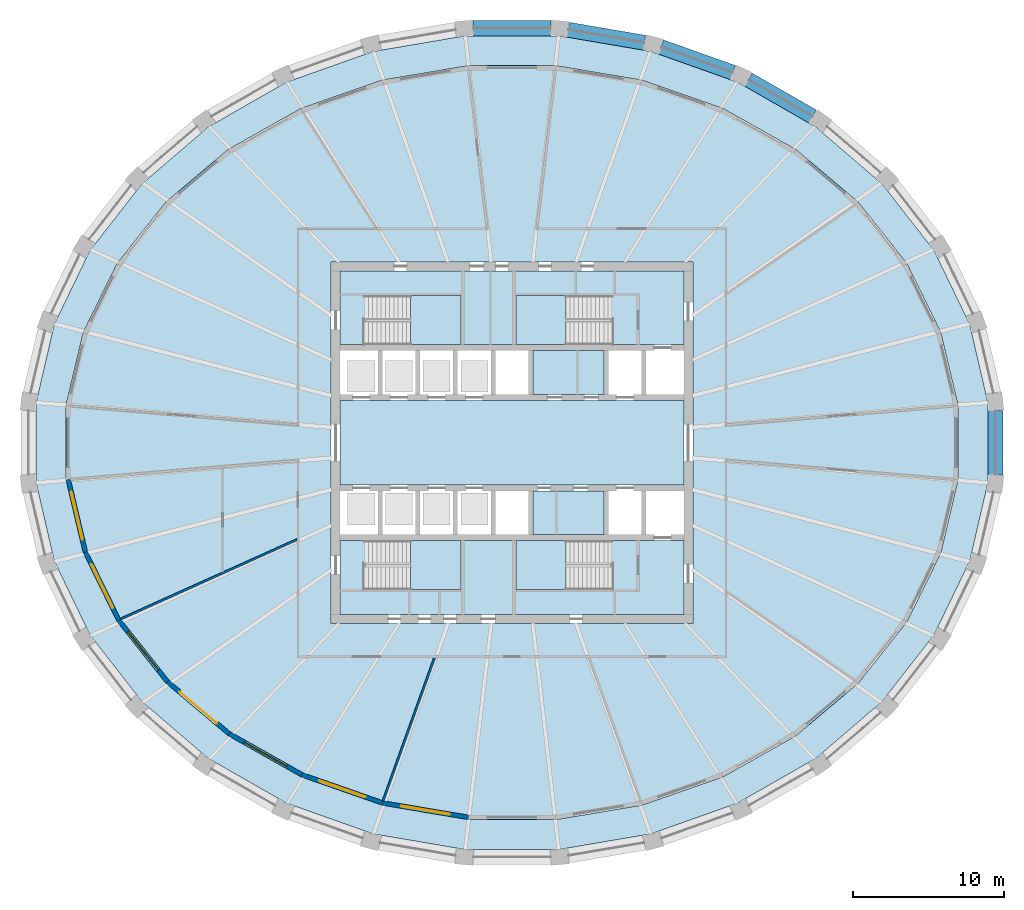
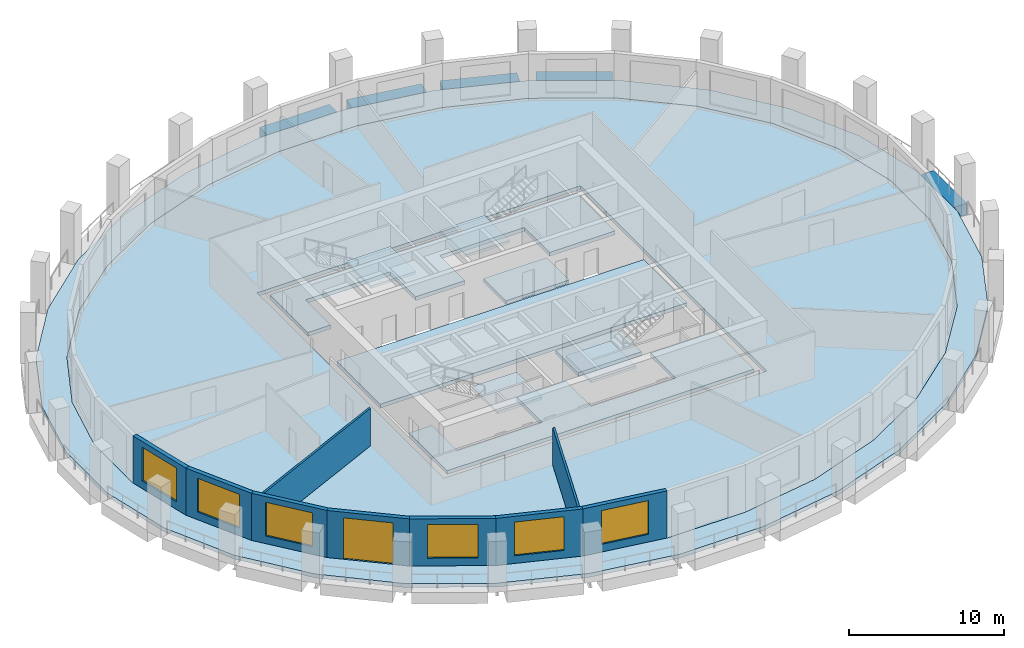
# One storey, part 2 of 10: 11 slabs, 9 walls, 6 windows, 5 beams, 1 door, 7 openings, 4 elements without a shape of their own.
"""IFC4 building model written with IfcOpenShell, lengths in metres."""

from ifc_helpers import new_model, si_unit, direction, frame, frame_2d, origin, origin_2d, place, context, subcontext, project, spatial, polyline, rectangle, outline, extrude, material, layer, layer_set, material_profile, profile_set, type_object, element, fill, aggregate, save


model = new_model("IFC4")

# Units and contexts
model_context = context("Model", 3, precision=1e-05, world=origin(), true_north=direction((0.0, 1.0)))
body_context = subcontext(model_context, "Body", "Model", "MODEL_VIEW")
ifc_project = project(units=[si_unit("LENGTHUNIT", "METRE"), si_unit("AREAUNIT", "SQUARE_METRE"), si_unit("VOLUMEUNIT", "CUBIC_METRE"), si_unit("PLANEANGLEUNIT", "RADIAN"), si_unit("MASSUNIT", "GRAM", prefix="KILO")], contexts=[model_context])

# Site, building, storey
site_placement = place(None, origin())
site = spatial("IfcSite", under=ifc_project, at=site_placement, CompositionType="ELEMENT")
building_placement = place(site_placement, origin())
building = spatial("IfcBuilding", under=site, at=building_placement, Name="Halqa Exchange Tower", CompositionType="ELEMENT")
storey_placement = place(building_placement, frame((0.0, 0.0, 202.89990234375)))
storey = spatial("IfcBuildingStorey", under=building, at=storey_placement, Name="L46", CompositionType="ELEMENT", Elevation=202.89990234375)

# Beams
ifc_material_1 = material(Name="Concrete C60/75", Category="concrete")
ifc_material_profile = material_profile(ifc_material_1, rectangle(XDim=1.0, YDim=0.89990234375, at=origin_2d()), Name="1000 x 900")
ifc_profile_set = profile_set([ifc_material_profile], Name="Concrete C60/75")
beam_type = type_object("IfcBeamType", Name="RC spandrel beam 1000 x 900 C60/75", PredefinedType="SPANDREL", material=ifc_profile_set)
beam_1_placement = place(storey_placement, frame((19.951416015625, 21.6455078125, -0.449951171875), z_axis=(-0.867758828844, 0.496985527921, 0.0), x_axis=(-0.496985527921, -0.867758828844, 0.0)))
element("IfcBeam", 1, at=beam_1_placement, inside=storey, type_object=beam_type, Name="Spandrel 5", PredefinedType="SPANDREL", context=body_context, shape_type="SweptSolid", body=[
    extrude(rectangle(XDim=1.0, YDim=0.89990234375, at=origin_2d()), origin(), (0.0, 0.0, 1.0), 4.905517578125),
])
beam_2_placement = place(storey_placement, frame((14.656005859375, 24.560546875, -0.449951171875), z_axis=(-0.942356423525, 0.334610775442, 0.0), x_axis=(-0.334610775442, -0.942356423525, 0.0)))
element("IfcBeam", 2, at=beam_2_placement, inside=storey, type_object=beam_type, Name="Spandrel 6", PredefinedType="SPANDREL", context=body_context, shape_type="SweptSolid", body=[
    extrude(rectangle(XDim=1.0, YDim=0.89990234375, at=origin_2d()), origin(), (0.0, 0.0, 1.0), 5.047607421875),
])
beam_3_placement = place(storey_placement, frame((8.7919921875, 26.5380859375, -0.449951171875), z_axis=(-0.985769464363, 0.168102834982, 0.0), x_axis=(-0.168102834982, -0.985769464363, 0.0)))
element("IfcBeam", 3, at=beam_3_placement, inside=storey, type_object=beam_type, Name="Spandrel 7", PredefinedType="SPANDREL", context=body_context, shape_type="SweptSolid", body=[
    extrude(rectangle(XDim=1.0, YDim=0.89990234375, at=origin_2d()), origin(), (0.0, 0.0, 1.0), 5.139892578125),
])
beam_4_placement = place(storey_placement, frame((2.586181640625, 27.498291015625, -0.449951171875), z_axis=(-1.0, 0.0, 0.0), x_axis=(0.0, -1.0, 0.0)))
element("IfcBeam", 4, at=beam_4_placement, inside=storey, type_object=beam_type, Name="Spandrel 8", PredefinedType="SPANDREL", context=body_context, shape_type="SweptSolid", body=[
    extrude(rectangle(XDim=1.0, YDim=0.89990234375, at=origin_2d()), origin(), (0.0, 0.0, 1.0), 5.17236328125),
])
beam_5_placement = place(storey_placement, frame((32.08154296875, -2.131591796875, -0.449951171875), z_axis=(0.0, 1.0, 0.0), x_axis=(-1.0, 0.0, 0.0)))
element("IfcBeam", 5, at=beam_5_placement, inside=storey, type_object=beam_type, Name="Spandrel 32", PredefinedType="SPANDREL", context=body_context, shape_type="SweptSolid", body=[
    extrude(rectangle(XDim=1.0, YDim=0.89990234375, at=origin_2d()), origin(), (0.0, 0.0, 1.0), 4.26318359375),
])

# Slabs
ifc_layer_1 = layer(ifc_material_1, 0.300048828125)
ifc_layer_set_1 = layer_set([ifc_layer_1], Name="Concrete C60/75")
slab_type_1 = type_object("IfcSlabType", Name="Core floor slab 300", PredefinedType="FLOOR", material=ifc_layer_set_1)
slab_1_placement = place(storey_placement, frame((0.0, 0.0, -0.2998046875)))
element("IfcSlab", 6, at=slab_1_placement, inside=storey, type_object=slab_type_1, Name="Core floor slab", PredefinedType="FLOOR", context=body_context, shape_type="SweptSolid", body=[
    extrude(outline(polyline([(-11.39990234375, 2.800048828125), (11.39990234375, 2.800048828125), (11.39990234375, -2.800048828125), (-11.39990234375, -2.800048828125), (-11.39990234375, 2.800048828125)])), origin(), (0.0, 0.0, 1.0), 0.2998046875),
])
slab_2_placement = place(storey_placement, frame((0.0, 0.0, -0.2998046875)))
element("IfcSlab", 7, at=slab_2_placement, inside=storey, type_object=slab_type_1, Name="Core floor slab", PredefinedType="FLOOR", context=body_context, shape_type="SweptSolid", body=[
    extrude(outline(polyline([(-11.39990234375, 11.39990234375), (11.39990234375, 11.39990234375), (11.39990234375, 6.5), (6.550048828125, 6.5), (6.550048828125, 9.75), (0.25, 9.75), (0.25, 6.5), (-3.39990234375, 6.5), (-3.39990234375, 9.75), (-9.699951171875, 9.75), (-9.699951171875, 6.5), (-11.39990234375, 6.5), (-11.39990234375, 11.39990234375)])), origin(), (0.0, 0.0, 1.0), 0.2998046875),
])
slab_3_placement = place(storey_placement, frame((0.0, 0.0, -0.2998046875)))
element("IfcSlab", 8, at=slab_3_placement, inside=storey, type_object=slab_type_1, Name="Core floor slab", PredefinedType="FLOOR", context=body_context, shape_type="SweptSolid", body=[
    extrude(outline(polyline([(-9.699951171875, -9.75), (-3.39990234375, -9.75), (-3.39990234375, -6.5), (0.25, -6.5), (0.25, -9.75), (6.550048828125, -9.75), (6.550048828125, -6.5), (11.39990234375, -6.5), (11.39990234375, -11.39990234375), (-11.39990234375, -11.39990234375), (-11.39990234375, -6.5), (-9.699951171875, -6.5), (-9.699951171875, -9.75)])), origin(), (0.0, 0.0, 1.0), 0.2998046875),
])
slab_4_placement = place(storey_placement, frame((0.0, 0.0, -0.2998046875)))
element("IfcSlab", 9, at=slab_4_placement, inside=storey, type_object=slab_type_1, Name="Core floor slab", PredefinedType="FLOOR", context=body_context, shape_type="SweptSolid", body=[
    extrude(outline(polyline([(6.10009765625, -3.199951171875), (6.10009765625, -6.10009765625), (1.39990234375, -6.10009765625), (1.39990234375, -3.199951171875), (6.10009765625, -3.199951171875)])), origin(), (0.0, 0.0, 1.0), 0.2998046875),
])
slab_5_placement = place(storey_placement, frame((0.0, 0.0, -0.2998046875)))
element("IfcSlab", 10, at=slab_5_placement, inside=storey, type_object=slab_type_1, Name="Core floor slab", PredefinedType="FLOOR", context=body_context, shape_type="SweptSolid", body=[
    extrude(outline(polyline([(6.10009765625, 6.10009765625), (6.10009765625, 3.199951171875), (1.39990234375, 3.199951171875), (1.39990234375, 6.10009765625), (6.10009765625, 6.10009765625)])), origin(), (0.0, 0.0, 1.0), 0.2998046875),
])
ifc_material_2 = material(Name="Concrete C40/50", Category="concrete")
ifc_layer_2 = layer(ifc_material_2, 0.300048828125)
ifc_layer_set_2 = layer_set([ifc_layer_2], Name="Concrete C40/50")
slab_type_2 = type_object("IfcSlabType", Name="RC floor slab 300", PredefinedType="FLOOR", material=ifc_layer_set_2)
slab_6_placement = place(storey_placement, frame((0.0, 0.0, -0.2998046875)))
element("IfcSlab", 11, at=slab_6_placement, inside=storey, type_object=slab_type_2, Name="Floor slab", PredefinedType="FLOOR", context=body_context, shape_type="SweptSolid", body=[
    extrude(outline(polyline([(29.59521484375, 2.46875), (28.45361328125, 7.31005859375), (26.216064453125, 11.86669921875), (22.971435546875, 15.962890625), (18.846435546875, 19.4423828125), (14.00048828125, 22.173828125), (8.619873046875, 24.053955078125), (2.910400390625, 25.011962890625), (-2.910400390625, 25.011962890625), (-8.619873046875, 24.053955078125), (-14.00048828125, 22.173828125), (-18.846435546875, 19.4423828125), (-22.971435546875, 15.962890625), (-26.216064453125, 11.86669921875), (-28.45361328125, 7.31005859375), (-29.59521484375, 2.46875), (-29.59521484375, -2.46875), (-28.45361328125, -7.31005859375), (-26.216064453125, -11.86669921875), (-22.971435546875, -15.962890625), (-18.846435546875, -19.4423828125), (-14.00048828125, -22.173828125), (-8.619873046875, -24.053955078125), (-2.910400390625, -25.011962890625), (2.910400390625, -25.011962890625), (8.619873046875, -24.053955078125), (14.00048828125, -22.173828125), (18.846435546875, -19.4423828125), (22.971435546875, -15.962890625), (26.216064453125, -11.86669921875), (28.45361328125, -7.31005859375), (29.59521484375, -2.46875), (29.59521484375, 2.46875)]), holes=[polyline([(-12.0, -12.0), (12.0, -12.0), (12.0, 12.0), (-12.0, 12.0), (-12.0, -12.0)])]), origin(), (0.0, 0.0, 1.0), 0.2998046875),
])
ifc_layer_3 = layer(ifc_material_2, 0.300048828125)
ifc_layer_set_3 = layer_set([ifc_layer_3], Name="Concrete C40/50")
slab_type_3 = type_object("IfcSlabType", Name="RC loggia slab 300", PredefinedType="FLOOR", material=ifc_layer_set_3)
slab_7_placement = place(storey_placement, frame((0.0, 0.0, -0.2998046875)))
element("IfcSlab", 12, at=slab_7_placement, inside=storey, type_object=slab_type_3, Name="Loggia slab", PredefinedType="FLOOR", context=body_context, shape_type="SweptSolid", body=[
    extrude(outline(polyline([(31.58154296875, 2.651123046875), (31.58154296875, -2.651123046875), (30.374267578125, -7.853759765625), (28.00341796875, -12.760009765625), (24.555908203125, -17.18212890625), (20.161376953125, -20.948974609375), (14.98681640625, -23.91259765625), (9.231201171875, -25.9560546875), (3.117431640625, -26.998291015625), (-3.117431640625, -26.998291015625), (-9.231201171875, -25.9560546875), (-14.98681640625, -23.91259765625), (-20.161376953125, -20.948974609375), (-24.555908203125, -17.18212890625), (-28.00341796875, -12.760009765625), (-30.374267578125, -7.853759765625), (-31.58154296875, -2.651123046875), (-31.58154296875, 2.651123046875), (-30.374267578125, 7.853759765625), (-28.00341796875, 12.760009765625), (-24.555908203125, 17.18212890625), (-20.161376953125, 20.948974609375), (-14.98681640625, 23.91259765625), (-9.231201171875, 25.9560546875), (-3.117431640625, 26.998291015625), (3.117431640625, 26.998291015625), (9.231201171875, 25.9560546875), (14.98681640625, 23.91259765625), (20.161376953125, 20.948974609375), (24.555908203125, 17.18212890625), (28.00341796875, 12.760009765625), (30.374267578125, 7.853759765625), (31.58154296875, 2.651123046875)]), holes=[polyline([(29.59521484375, 2.46875), (28.45361328125, 7.31005859375), (26.216064453125, 11.86669921875), (22.971435546875, 15.962890625), (18.846435546875, 19.4423828125), (14.00048828125, 22.173828125), (8.619873046875, 24.053955078125), (2.910400390625, 25.011962890625), (-2.910400390625, 25.011962890625), (-8.619873046875, 24.053955078125), (-14.00048828125, 22.173828125), (-18.846435546875, 19.4423828125), (-22.971435546875, 15.962890625), (-26.216064453125, 11.86669921875), (-28.45361328125, 7.31005859375), (-29.59521484375, 2.46875), (-29.59521484375, -2.46875), (-28.45361328125, -7.31005859375), (-26.216064453125, -11.86669921875), (-22.971435546875, -15.962890625), (-18.846435546875, -19.4423828125), (-14.00048828125, -22.173828125), (-8.619873046875, -24.053955078125), (-2.910400390625, -25.011962890625), (2.910400390625, -25.011962890625), (8.619873046875, -24.053955078125), (14.00048828125, -22.173828125), (18.846435546875, -19.4423828125), (22.971435546875, -15.962890625), (26.216064453125, -11.86669921875), (28.45361328125, -7.31005859375), (29.59521484375, -2.46875), (29.59521484375, 2.46875)])]), origin(), (0.0, 0.0, 1.0), 0.2998046875),
])

# Stair, slab
ifc_material_3 = material(Name="Concrete C30/37", Category="concrete")
stair_type = type_object("IfcStairType", Name="Exit stair 1500 wide", PredefinedType="HALF_TURN_STAIR", material=ifc_material_3)
stair_1_placement = place(storey_placement, origin())
stair_1 = element("IfcStair", 13, at=stair_1_placement, inside=storey, type_object=stair_type, Name="Exit stair ST1", PredefinedType="HALF_TURN_STAIR")
ifc_layer_4 = layer(ifc_material_3, 0.199951171875)
ifc_layer_set_4 = layer_set([ifc_layer_4], Name="Concrete C30/37")
slab_type_4 = type_object("IfcSlabType", Name="Stair landing 200 slab", PredefinedType="LANDING", material=ifc_layer_set_4)
slab_8_placement = place(storey_placement, frame((0.0, 0.0, 1.800048828125)))
slab_8 = element("IfcSlab", 14, at=slab_8_placement, type_object=slab_type_4, Name="ST1 landing 1", PredefinedType="LANDING", context=body_context, shape_type="SweptSolid", body=[
    extrude(outline(polyline([(-6.719970703125, 6.5), (-3.39990234375, 6.5), (-3.39990234375, 9.75), (-6.719970703125, 9.75), (-6.719970703125, 6.5)])), origin(), (0.0, 0.0, 1.0), 0.199951171875),
])
aggregate(stair_1, [slab_8])

stair_2_placement = place(storey_placement, origin())
stair_2 = element("IfcStair", 15, at=stair_2_placement, inside=storey, type_object=stair_type, Name="Exit stair ST2", PredefinedType="HALF_TURN_STAIR")
slab_9_placement = place(storey_placement, frame((0.0, 0.0, 1.800048828125)))
slab_9 = element("IfcSlab", 16, at=slab_9_placement, type_object=slab_type_4, Name="ST2 landing 1", PredefinedType="LANDING", context=body_context, shape_type="SweptSolid", body=[
    extrude(outline(polyline([(0.25, 6.5), (3.570068359375, 6.5), (3.570068359375, 9.75), (0.25, 9.75), (0.25, 6.5)])), origin(), (0.0, 0.0, 1.0), 0.199951171875),
])
aggregate(stair_2, [slab_9])

stair_3_placement = place(storey_placement, origin())
stair_3 = element("IfcStair", 17, at=stair_3_placement, inside=storey, type_object=stair_type, Name="Exit stair ST3", PredefinedType="HALF_TURN_STAIR")
slab_10_placement = place(storey_placement, frame((0.0, 0.0, 1.800048828125)))
slab_10 = element("IfcSlab", 18, at=slab_10_placement, type_object=slab_type_4, Name="ST3 landing 1", PredefinedType="LANDING", context=body_context, shape_type="SweptSolid", body=[
    extrude(outline(polyline([(-6.719970703125, -9.75), (-3.39990234375, -9.75), (-3.39990234375, -6.5), (-6.719970703125, -6.5), (-6.719970703125, -9.75)])), origin(), (0.0, 0.0, 1.0), 0.199951171875),
])
aggregate(stair_3, [slab_10])

stair_4_placement = place(storey_placement, origin())
stair_4 = element("IfcStair", 19, at=stair_4_placement, inside=storey, type_object=stair_type, Name="Exit stair ST4", PredefinedType="HALF_TURN_STAIR")
slab_11_placement = place(storey_placement, frame((0.0, 0.0, 1.800048828125)))
slab_11 = element("IfcSlab", 20, at=slab_11_placement, type_object=slab_type_4, Name="ST4 landing 1", PredefinedType="LANDING", context=body_context, shape_type="SweptSolid", body=[
    extrude(outline(polyline([(0.25, -9.75), (3.570068359375, -9.75), (3.570068359375, -6.5), (0.25, -6.5), (0.25, -9.75)])), origin(), (0.0, 0.0, 1.0), 0.199951171875),
])
aggregate(stair_4, [slab_11])

# Walls
ifc_material_4 = material(Name="Fire-rated gypsum board")
ifc_layer_5 = layer(ifc_material_4, 0.14990234375)
ifc_layer_set_5 = layer_set([ifc_layer_5], Name="Fire-rated gypsum board")
wall_type_1 = type_object("IfcWallType", Name="Fire partition EI 60 150", PredefinedType="PARTITIONING", material=ifc_layer_set_5)
wall_1_placement = place(storey_placement, frame((-25.96337890625, -11.705078125, 0.0), z_axis=(0.0, 0.0, 1.0), x_axis=(0.911586477794, 0.41110837197, 0.0)))
element("IfcWall", 21, at=wall_1_placement, inside=storey, type_object=wall_type_1, Name="L46-PWL-003", PredefinedType="PARTITIONING", context=body_context, shape_type="SweptSolid", body=[
    extrude(outline(polyline([(0.0205078125, -0.074951171875), (1.844482421875, -0.074951171875), (3.66845703125, -0.074951171875), (5.492431640625, -0.074951171875), (7.31640625, -0.074951171875), (9.140380859375, -0.074951171875), (10.96435546875, -0.074951171875), (12.788330078125, -0.074951171875), (12.855712890625, 0.074951171875), (11.0732421875, 0.074951171875), (9.29052734375, 0.074951171875), (7.508056640625, 0.074951171875), (7.507080078125, 0.07275390625), (7.502197265625, 0.074951171875), (5.626708984375, 0.074951171875), (3.751220703125, 0.074951171875), (1.87548828125, 0.074951171875), (0.0, 0.074951171875), (0.0, 0.06201171875), (0.002197265625, -0.00146484375), (0.0205078125, -0.074951171875)])), origin(), (0.0, 0.0, 1.0), 2.947021484375),
])
wall_2_placement = place(storey_placement, frame((-5.1279296875, -14.25, 0.0), z_axis=(0.0, 0.0, 1.0), x_axis=(-0.338529589418, -0.940955746615, 0.0)))
element("IfcWall", 22, at=wall_2_placement, inside=storey, type_object=wall_type_1, Name="L46-PWL-011", PredefinedType="PARTITIONING", context=body_context, shape_type="SweptSolid", body=[
    extrude(outline(polyline([(10.108154296875, -0.074951171875), (10.108154296875, -0.07177734375), (10.107421875, 0.0048828125), (10.0947265625, 0.074951171875), (8.412353515625, 0.074951171875), (6.729736328125, 0.074951171875), (5.04736328125, 0.074951171875), (3.364990234375, 0.074951171875), (1.682373046875, 0.074951171875), (0.0, 0.074951171875), (0.0, 0.07373046875), (0.053466796875, -0.074951171875), (1.729248046875, -0.074951171875), (3.405029296875, -0.074951171875), (5.080810546875, -0.074951171875), (6.756591796875, -0.074951171875), (8.432373046875, -0.074951171875), (10.108154296875, -0.074951171875)])), origin(), (0.0, 0.0, 1.0), 2.947021484375),
])

# Wall, opening, window
ifc_material_5 = material(Name="Limestone cladding", Category="masonry")
ifc_layer_6 = layer(ifc_material_5, 0.0400390625)
ifc_material_6 = material(Name="Ventilated cavity")
ifc_layer_7 = layer(ifc_material_6, 0.030029296875, ventilated=True)
ifc_material_7 = material(Name="Mineral wool insulation")
ifc_layer_8 = layer(ifc_material_7, 0.10009765625)
ifc_layer_9 = layer(ifc_material_3, 0.10009765625)
ifc_material_8 = material(Name="Internal plaster")
ifc_layer_10 = layer(ifc_material_8, 0.030029296875)
ifc_layer_set_6 = layer_set([ifc_layer_6, ifc_layer_7, ifc_layer_8, ifc_layer_9, ifc_layer_10], Name="Stone-faced insulated wall 300")
wall_type_2 = type_object("IfcWallType", Name="Stone-faced insulated wall 300", PredefinedType="STANDARD", material=ifc_layer_set_6)
wall_3_placement = place(storey_placement, frame((-29.445068359375, -2.451416015625, 0.0), z_axis=(0.0, 0.0, 1.0), x_axis=(0.229535186351, -0.973300363828, 0.0)))
wall_3 = element("IfcWall", 23, at=wall_3_placement, inside=storey, type_object=wall_type_2, Name="Glass-line wall 17", PredefinedType="STANDARD", context=body_context, shape_type="SweptSolid", body=[
    extrude(outline(polyline([(-0.017333984375, -0.14990234375), (4.956298828125, -0.14990234375), (4.922607421875, 0.14990234375), (0.017333984375, 0.14990234375), (-0.017333984375, -0.14990234375)])), origin(), (0.0, 0.0, 1.0), 3.7001953125),
])
opening_1_placement = place(wall_3_placement, frame((0.8447265625, 0.0, 0.60009765625)))
opening_1 = element("IfcOpeningElement", 24, at=opening_1_placement, cuts=wall_3, Name="Opening W-F3-17", PredefinedType="OPENING", context=body_context, shape_type="SweptSolid", body=[
    extrude(rectangle(XDim=3.25, YDim=2.64990234375, at=frame_2d((1.625, 1.324951171875))), frame((0.0, 0.162109375, 0.0), z_axis=(0.0, -1.0, 0.0), x_axis=(1.0, 0.0, 0.0)), (0.0, 0.0, 1.0), 0.323974609375),
])
ifc_material_9 = material(Name="Clear low-emissivity glass in aluminium frame", Category="aluminium")
window_type = type_object("IfcWindowType", Name="Fixed clear glazed window 3250 x 2650", PartitioningType="TRIPLE_PANEL_VERTICAL", PredefinedType="WINDOW", material=ifc_material_9)
window_1_placement = place(opening_1_placement, origin())
window_1 = element("IfcWindow", 25, at=window_1_placement, inside=storey, type_object=window_type, Name="Window 3", OverallHeight=2.64990234375, OverallWidth=3.25, PartitioningType="TRIPLE_PANEL_VERTICAL", PredefinedType="WINDOW", context=body_context, shape_type="SweptSolid", body=[
    extrude(rectangle(XDim=3.25, YDim=2.64990234375, at=frame_2d((1.625, 1.324951171875))), frame((0.0, 0.030029296875, 0.0), z_axis=(0.0, -1.0, 0.0), x_axis=(1.0, 0.0, 0.0)), (0.0, 0.0, 1.0), 0.06005859375),
])
fill(opening_1, window_1)

wall_4_placement = place(storey_placement, frame((-28.311279296875, -7.259033203125, 0.0), z_axis=(0.0, 0.0, 1.0), x_axis=(0.440773193145, -0.89761851151, 0.0)))
wall_4 = element("IfcWall", 26, at=wall_4_placement, inside=storey, type_object=wall_type_2, Name="Glass-line wall 18", PredefinedType="STANDARD", context=body_context, shape_type="SweptSolid", body=[
    extrude(outline(polyline([(-0.016845703125, -0.14990234375), (5.059326171875, -0.14990234375), (5.027099609375, 0.14990234375), (0.016845703125, 0.14990234375), (-0.016845703125, -0.14990234375)])), origin(), (0.0, 0.0, 1.0), 3.7001953125),
])
opening_2_placement = place(wall_4_placement, frame((0.896484375, 0.0, 0.60009765625)))
opening_2 = element("IfcOpeningElement", 27, at=opening_2_placement, cuts=wall_4, Name="Opening W-F3-18", PredefinedType="OPENING", context=body_context, shape_type="SweptSolid", body=[
    extrude(rectangle(XDim=3.25, YDim=2.64990234375, at=frame_2d((1.625, 1.324951171875))), frame((0.0, 0.162109375, 0.0), z_axis=(0.0, -1.0, 0.0), x_axis=(1.0, 0.0, 0.0)), (0.0, 0.0, 1.0), 0.323974609375),
])
window_2_placement = place(opening_2_placement, origin())
window_2 = element("IfcWindow", 28, at=window_2_placement, inside=storey, type_object=window_type, Name="Window 3", OverallHeight=2.64990234375, OverallWidth=3.25, PartitioningType="TRIPLE_PANEL_VERTICAL", PredefinedType="WINDOW", context=body_context, shape_type="SweptSolid", body=[
    extrude(rectangle(XDim=3.25, YDim=2.64990234375, at=frame_2d((1.625, 1.324951171875))), frame((0.0, 0.030029296875, 0.0), z_axis=(0.0, -1.0, 0.0), x_axis=(1.0, 0.0, 0.0)), (0.0, 0.0, 1.0), 0.06005859375),
])
fill(opening_2, window_2)

wall_5_placement = place(storey_placement, frame((-26.08837890625, -11.785888671875, 0.0), z_axis=(0.0, 0.0, 1.0), x_axis=(0.620870264345, -0.783913333763, 0.0)))
wall_5 = element("IfcWall", 29, at=wall_5_placement, inside=storey, type_object=wall_type_2, Name="Glass-line wall 19", PredefinedType="STANDARD", context=body_context, shape_type="SweptSolid", body=[
    extrude(outline(polyline([(-0.01611328125, -0.14990234375), (5.209716796875, -0.14990234375), (5.179443359375, 0.14990234375), (0.01611328125, 0.14990234375), (-0.01611328125, -0.14990234375)])), origin(), (0.0, 0.0, 1.0), 3.7001953125),
])
opening_3_placement = place(wall_5_placement, frame((0.97216796875, 0.0, 0.60009765625)))
opening_3 = element("IfcOpeningElement", 30, at=opening_3_placement, cuts=wall_5, Name="Opening W-F3-19", PredefinedType="OPENING", context=body_context, shape_type="SweptSolid", body=[
    extrude(rectangle(XDim=3.25, YDim=2.64990234375, at=frame_2d((1.625, 1.324951171875))), frame((0.0, 0.162109375, 0.0), z_axis=(0.0, -1.0, 0.0), x_axis=(1.0, 0.0, 0.0)), (0.0, 0.0, 1.0), 0.323974609375),
])
window_3_placement = place(opening_3_placement, origin())
window_3 = element("IfcWindow", 31, at=window_3_placement, inside=storey, type_object=window_type, Name="Window 3", OverallHeight=2.64990234375, OverallWidth=3.25, PartitioningType="TRIPLE_PANEL_VERTICAL", PredefinedType="WINDOW", context=body_context, shape_type="SweptSolid", body=[
    extrude(rectangle(XDim=3.25, YDim=2.64990234375, at=frame_2d((1.625, 1.324951171875))), frame((0.0, 0.030029296875, 0.0), z_axis=(0.0, -1.0, 0.0), x_axis=(1.0, 0.0, 0.0)), (0.0, 0.0, 1.0), 0.06005859375),
])
fill(opening_3, window_3)

# Wall, opening, door
wall_6_placement = place(storey_placement, frame((-22.86328125, -15.85791015625, 0.0), z_axis=(0.0, 0.0, 1.0), x_axis=(0.764386053229, -0.6447588399, 0.0)))
wall_6 = element("IfcWall", 32, at=wall_6_placement, inside=storey, type_object=wall_type_2, Name="Glass-line wall 20", PredefinedType="STANDARD", context=body_context, shape_type="SweptSolid", body=[
    extrude(outline(polyline([(-0.01513671875, -0.14990234375), (5.381591796875, -0.14990234375), (5.353271484375, 0.14990234375), (0.01513671875, 0.14990234375), (-0.01513671875, -0.14990234375)])), origin(), (0.0, 0.0, 1.0), 3.7001953125),
])
opening_4_placement = place(wall_6_placement, frame((1.058837890625, 0.0, 0.0)))
opening_4 = element("IfcOpeningElement", 33, at=opening_4_placement, cuts=wall_6, Name="Opening LG-F3-05", PredefinedType="OPENING", context=body_context, shape_type="SweptSolid", body=[
    extrude(rectangle(XDim=3.25, YDim=3.25, at=frame_2d((1.625, 1.625))), frame((0.0, 0.162109375, 0.0), z_axis=(0.0, -1.0, 0.0), x_axis=(1.0, 0.0, 0.0)), (0.0, 0.0, 1.0), 0.323974609375),
])
door_type = type_object("IfcDoorType", Name="Glazed sliding loggia door 3250 x 3250", OperationType="DOUBLE_DOOR_SLIDING", PredefinedType="DOOR", material=ifc_material_9)
door_placement = place(opening_4_placement, origin())
door = element("IfcDoor", 34, at=door_placement, inside=storey, type_object=door_type, Name="Loggia door 5", OperationType="DOUBLE_DOOR_SLIDING", OverallHeight=3.25, OverallWidth=3.25, PredefinedType="DOOR", context=body_context, shape_type="SweptSolid", body=[
    extrude(rectangle(XDim=3.25, YDim=3.25, at=frame_2d((1.625, 1.625))), frame((0.0, 0.02490234375, 0.0), z_axis=(0.0, -1.0, 0.0), x_axis=(1.0, 0.0, 0.0)), (0.0, 0.0, 1.0), 0.050048828125),
])
fill(opening_4, door)

# Wall, opening, window
wall_7_placement = place(storey_placement, frame((-18.760498046875, -19.318603515625, 0.0), z_axis=(0.0, 0.0, 1.0), x_axis=(0.871140546168, -0.491033755278, 0.0)))
wall_7 = element("IfcWall", 35, at=wall_7_placement, inside=storey, type_object=wall_type_2, Name="Glass-line wall 21", PredefinedType="STANDARD", context=body_context, shape_type="SweptSolid", body=[
    extrude(outline(polyline([(-0.01416015625, -0.14990234375), (5.548828125, -0.14990234375), (5.52197265625, 0.14990234375), (0.01416015625, 0.14990234375), (-0.01416015625, -0.14990234375)])), origin(), (0.0, 0.0, 1.0), 3.7001953125),
])
opening_5_placement = place(wall_7_placement, frame((1.142578125, 0.0, 0.60009765625)))
opening_5 = element("IfcOpeningElement", 36, at=opening_5_placement, cuts=wall_7, Name="Opening W-F3-21", PredefinedType="OPENING", context=body_context, shape_type="SweptSolid", body=[
    extrude(rectangle(XDim=3.25, YDim=2.64990234375, at=frame_2d((1.625, 1.324951171875))), frame((0.0, 0.162109375, 0.0), z_axis=(0.0, -1.0, 0.0), x_axis=(1.0, 0.0, 0.0)), (0.0, 0.0, 1.0), 0.323974609375),
])
window_4_placement = place(opening_5_placement, origin())
window_4 = element("IfcWindow", 37, at=window_4_placement, inside=storey, type_object=window_type, Name="Window 3", OverallHeight=2.64990234375, OverallWidth=3.25, PartitioningType="TRIPLE_PANEL_VERTICAL", PredefinedType="WINDOW", context=body_context, shape_type="SweptSolid", body=[
    extrude(rectangle(XDim=3.25, YDim=2.64990234375, at=frame_2d((1.625, 1.324951171875))), frame((0.0, 0.030029296875, 0.0), z_axis=(0.0, -1.0, 0.0), x_axis=(1.0, 0.0, 0.0)), (0.0, 0.0, 1.0), 0.06005859375),
])
fill(opening_5, window_4)

wall_8_placement = place(storey_placement, frame((-13.9384765625, -22.03662109375, 0.0), z_axis=(0.0, 0.0, 1.0), x_axis=(0.944023272224, -0.329878858824, 0.0)))
wall_8 = element("IfcWall", 38, at=wall_8_placement, inside=storey, type_object=wall_type_2, Name="Glass-line wall 22", PredefinedType="STANDARD", context=body_context, shape_type="SweptSolid", body=[
    extrude(outline(polyline([(-0.013427734375, -0.14990234375), (5.686279296875, -0.14990234375), (5.660888671875, 0.14990234375), (0.013427734375, 0.14990234375), (-0.013427734375, -0.14990234375)])), origin(), (0.0, 0.0, 1.0), 3.7001953125),
])
opening_6_placement = place(wall_8_placement, frame((1.2119140625, 0.0, 0.60009765625)))
opening_6 = element("IfcOpeningElement", 39, at=opening_6_placement, cuts=wall_8, Name="Opening W-F3-22", PredefinedType="OPENING", context=body_context, shape_type="SweptSolid", body=[
    extrude(rectangle(XDim=3.25, YDim=2.64990234375, at=frame_2d((1.625, 1.324951171875))), frame((0.0, 0.162109375, 0.0), z_axis=(0.0, -1.0, 0.0), x_axis=(1.0, 0.0, 0.0)), (0.0, 0.0, 1.0), 0.323974609375),
])
window_5_placement = place(opening_6_placement, origin())
window_5 = element("IfcWindow", 40, at=window_5_placement, inside=storey, type_object=window_type, Name="Window 3", OverallHeight=2.64990234375, OverallWidth=3.25, PartitioningType="TRIPLE_PANEL_VERTICAL", PredefinedType="WINDOW", context=body_context, shape_type="SweptSolid", body=[
    extrude(rectangle(XDim=3.25, YDim=2.64990234375, at=frame_2d((1.625, 1.324951171875))), frame((0.0, 0.030029296875, 0.0), z_axis=(0.0, -1.0, 0.0), x_axis=(1.0, 0.0, 0.0)), (0.0, 0.0, 1.0), 0.06005859375),
])
fill(opening_6, window_5)

wall_9_placement = place(storey_placement, frame((-8.58251953125, -23.908203125, 0.0), z_axis=(0.0, 0.0, 1.0), x_axis=(0.98622052717, -0.165436005116, 0.0)))
wall_9 = element("IfcWall", 41, at=wall_9_placement, inside=storey, type_object=wall_type_2, Name="Glass-line wall 23", PredefinedType="STANDARD", context=body_context, shape_type="SweptSolid", body=[
    extrude(outline(polyline([(-0.0126953125, -0.14990234375), (5.776611328125, -0.14990234375), (5.751708984375, 0.14990234375), (0.0126953125, 0.14990234375), (-0.0126953125, -0.14990234375)])), origin(), (0.0, 0.0, 1.0), 3.7001953125),
])
opening_7_placement = place(wall_9_placement, frame((1.257080078125, 0.0, 0.60009765625)))
opening_7 = element("IfcOpeningElement", 42, at=opening_7_placement, cuts=wall_9, Name="Opening W-F3-23", PredefinedType="OPENING", context=body_context, shape_type="SweptSolid", body=[
    extrude(rectangle(XDim=3.25, YDim=2.64990234375, at=frame_2d((1.625, 1.324951171875))), frame((0.0, 0.162109375, 0.0), z_axis=(0.0, -1.0, 0.0), x_axis=(1.0, 0.0, 0.0)), (0.0, 0.0, 1.0), 0.323974609375),
])
window_6_placement = place(opening_7_placement, origin())
window_6 = element("IfcWindow", 43, at=window_6_placement, inside=storey, type_object=window_type, Name="Window 3", OverallHeight=2.64990234375, OverallWidth=3.25, PartitioningType="TRIPLE_PANEL_VERTICAL", PredefinedType="WINDOW", context=body_context, shape_type="SweptSolid", body=[
    extrude(rectangle(XDim=3.25, YDim=2.64990234375, at=frame_2d((1.625, 1.324951171875))), frame((0.0, 0.030029296875, 0.0), z_axis=(0.0, -1.0, 0.0), x_axis=(1.0, 0.0, 0.0)), (0.0, 0.0, 1.0), 0.06005859375),
])
fill(opening_7, window_6)

save(model, "model.ifc")
